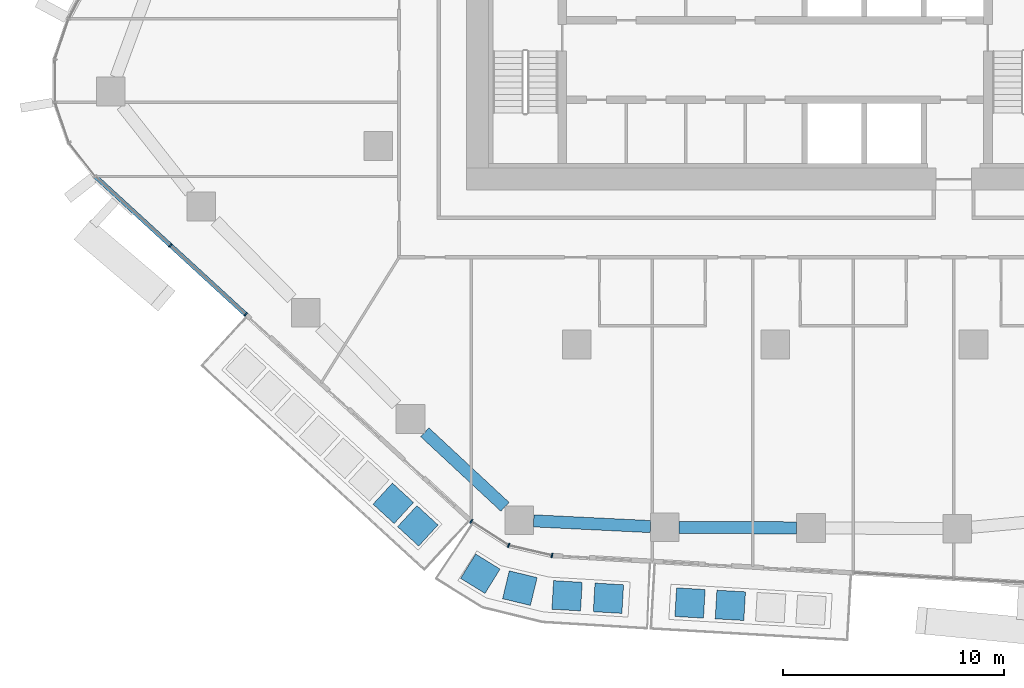
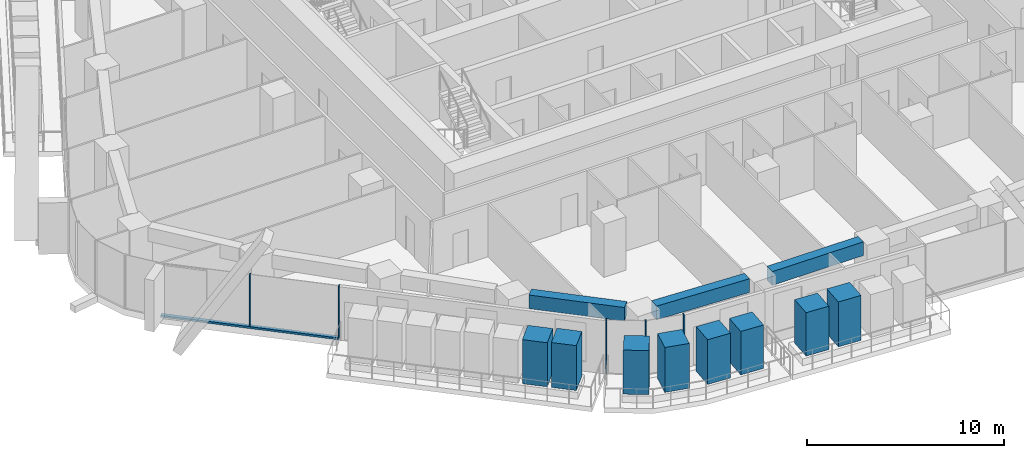
# One storey, part 2 of 23: 14 members, 3 beams, 2 elements without a shape of their own.
"""IFC4 building model written with IfcOpenShell, lengths in metres."""

from ifc_helpers import new_model, si_unit, direction, frame, origin, origin_2d, place, context, subcontext, project, spatial, rectangle, extrude, material, layer, layer_set, material_profile, profile_set, type_object, element, aggregate, save


model = new_model("IFC4")

# Units and contexts
model_context = context("Model", 3, precision=1e-05, world=origin(), true_north=direction((0.0, 1.0)))
body_context = subcontext(model_context, "Body", "Model", "MODEL_VIEW")
ifc_project = project(units=[si_unit("LENGTHUNIT", "METRE"), si_unit("AREAUNIT", "SQUARE_METRE"), si_unit("VOLUMEUNIT", "CUBIC_METRE"), si_unit("PLANEANGLEUNIT", "RADIAN"), si_unit("MASSUNIT", "GRAM", prefix="KILO")], contexts=[model_context])

# Site, building, storey
site_placement = place(None, origin())
site = spatial("IfcSite", under=ifc_project, at=site_placement, CompositionType="ELEMENT")
building_placement = place(site_placement, origin())
building = spatial("IfcBuilding", under=site, at=building_placement, Name="Dongbaek Canopy Tower", CompositionType="ELEMENT")
storey_placement = place(building_placement, frame((0.0, 0.0, 121.10009765625)))
storey = spatial("IfcBuildingStorey", under=building, at=storey_placement, Name="L26", CompositionType="ELEMENT", Elevation=121.10009765625)

# Curtain wall, members
ifc_material_1 = material(Name="Aluminium 6063-T6 pale anodised", Category="aluminium")
ifc_layer = layer(ifc_material_1, 0.199951171875)
ifc_layer_set = layer_set([ifc_layer], Name="CW-1 unitised tower curtain wall")
curtain_wall_type = type_object("IfcCurtainWallType", Name="CW-1 unitised tower curtain wall", PredefinedType="NOTDEFINED", material=ifc_layer_set)
curtain_wall_1_placement = place(storey_placement, origin())
curtain_wall_1 = element("IfcCurtainWall", 1, at=curtain_wall_1_placement, inside=storey, type_object=curtain_wall_type, Name="CW-1 curtain wall F3.1", PredefinedType="NOTDEFINED")
ifc_material_2 = material(Name="Aluminium 6063-T6 pale anodised", Category="aluminium")
ifc_material_profile_1 = material_profile(ifc_material_2, rectangle(XDim=0.199951171875, YDim=0.06005859375, at=origin_2d()), Name="CW-1 mullion 60 x 200")
ifc_profile_set_1 = profile_set([ifc_material_profile_1], Name="Aluminium 6063-T6 pale anodised")
member_type_1 = type_object("IfcMemberType", Name="CW-1 mullion 60 x 200", PredefinedType="MULLION", material=ifc_profile_set_1)
member_1_placement = place(storey_placement, frame((-27.417236328125, -13.5068359375, 0.119873046875), z_axis=(0.0, 0.0, 1.0), x_axis=(-0.675980347655, -0.73691964934, 0.0)))
member_1 = element("IfcMember", 2, at=member_1_placement, type_object=member_type_1, Name="CW-1 mullion F3.1.2", PredefinedType="MULLION", context=body_context, shape_type="SweptSolid", body=[
    extrude(rectangle(XDim=0.199951171875, YDim=0.06005859375, at=origin_2d()), origin(), (0.0, 0.0, 1.0), 3.179931640625),
])
member_2_placement = place(storey_placement, frame((-24.005615234375, -16.63623046875, 0.119873046875), z_axis=(0.0, 0.0, 1.0), x_axis=(-0.675980347655, -0.73691964934, 0.0)))
member_2 = element("IfcMember", 3, at=member_2_placement, type_object=member_type_1, Name="CW-1 mullion F3.1.3", PredefinedType="MULLION", context=body_context, shape_type="SweptSolid", body=[
    extrude(rectangle(XDim=0.199951171875, YDim=0.06005859375, at=origin_2d()), origin(), (0.0, 0.0, 1.0), 3.179931640625),
])

curtain_wall_2_placement = place(storey_placement, origin())
curtain_wall_2 = element("IfcCurtainWall", 4, at=curtain_wall_2_placement, inside=storey, type_object=curtain_wall_type, Name="CW-1 curtain wall K4.1", PredefinedType="NOTDEFINED")
member_3_placement = place(storey_placement, frame((-13.777099609375, -26.018798828125, 0.0), z_axis=(0.0, 0.0, 1.0), x_axis=(-0.540614176933, -0.84127065306, 0.0)))
member_3 = element("IfcMember", 5, at=member_3_placement, type_object=member_type_1, Name="CW-1 mullion K4.1.1", PredefinedType="MULLION", context=body_context, shape_type="SweptSolid", body=[
    extrude(rectangle(XDim=0.199951171875, YDim=0.06005859375, at=origin_2d()), origin(), (0.0, 0.0, 1.0), 3.2998046875),
])
member_4_placement = place(storey_placement, frame((-12.079833984375, -27.109619140625, 0.0), z_axis=(0.0, 0.0, 1.0), x_axis=(-0.389454972815, -0.921045506014, 0.0)))
member_4 = element("IfcMember", 6, at=member_4_placement, type_object=member_type_1, Name="CW-1 mullion K4.1.2", PredefinedType="MULLION", context=body_context, shape_type="SweptSolid", body=[
    extrude(rectangle(XDim=0.199951171875, YDim=0.06005859375, at=origin_2d()), origin(), (0.0, 0.0, 1.0), 3.2998046875),
])
member_5_placement = place(storey_placement, frame((-10.11474609375, -27.567626953125, 0.0), z_axis=(0.0, 0.0, 1.0), x_axis=(-0.226918569092, -0.973913734887, 0.0)))
member_5 = element("IfcMember", 7, at=member_5_placement, type_object=member_type_1, Name="CW-1 mullion K4.1.3", PredefinedType="MULLION", context=body_context, shape_type="SweptSolid", body=[
    extrude(rectangle(XDim=0.199951171875, YDim=0.06005859375, at=origin_2d()), origin(), (0.0, 0.0, 1.0), 3.2998046875),
])
aggregate(curtain_wall_2, [member_3, member_4, member_5])

# Member
ifc_material_3 = material(Name="Aluminium 6063-T6 pale anodised", Category="aluminium")
ifc_material_profile_2 = material_profile(ifc_material_3, rectangle(XDim=0.199951171875, YDim=0.1201171875, at=origin_2d()), Name="CW-1 transom 120 x 200")
ifc_profile_set_2 = profile_set([ifc_material_profile_2], Name="Aluminium 6063-T6 pale anodised")
member_type_2 = type_object("IfcMemberType", Name="CW-1 transom 120 x 200", PredefinedType="USERDEFINED", material=ifc_profile_set_2)
member_6_placement = place(storey_placement, frame((-30.822509765625, -10.383056640625, 0.059814453125), z_axis=(0.73691965449, -0.675980342041, 0.0), x_axis=(0.675980342041, 0.73691965449, 0.0)))
member_6 = element("IfcMember", 8, at=member_6_placement, type_object=member_type_2, Name="CW-1 transom F3.1.1", ObjectType="TRANSOM", PredefinedType="USERDEFINED", context=body_context, shape_type="SweptSolid", body=[
    extrude(rectangle(XDim=0.199951171875, YDim=0.1201171875, at=origin_2d()), origin(), (0.0, 0.0, 1.0), 9.25048828125),
])

aggregate(curtain_wall_1, [member_1, member_2, member_6])

# Beams
ifc_material_4 = material(Name="Concrete C80", Category="concrete")
ifc_material_profile_3 = material_profile(ifc_material_4, rectangle(XDim=0.550048828125, YDim=0.85009765625, at=origin_2d()), Name="RC EDGE BEAM 550x850 C80")
ifc_profile_set_3 = profile_set([ifc_material_profile_3], Name="Concrete C80")
beam_type = type_object("IfcBeamType", Name="RC EDGE BEAM 550x850 C80", PredefinedType="BEAM", material=ifc_profile_set_3)
beam_1_placement = place(storey_placement, frame((0.97900390625, -26.316162109375, 2.875), z_axis=(-0.999990328846, 0.004397978357, 0.0), x_axis=(-0.004397978357, -0.999990328846, 0.0)))
element("IfcBeam", 9, at=beam_1_placement, inside=storey, type_object=beam_type, Name="EDGEBEAM:L26:02", PredefinedType="BEAM", context=body_context, shape_type="SweptSolid", body=[
    extrude(rectangle(XDim=0.550048828125, YDim=0.85009765625, at=origin_2d()), origin(), (0.0, 0.0, 1.0), 5.3291015625),
])
beam_2_placement = place(storey_placement, frame((-5.64990234375, -26.258056640625, 2.875), z_axis=(-0.998796128786, 0.049053981722, 0.0), x_axis=(-0.049053981722, -0.998796128786, 0.0)))
element("IfcBeam", 10, at=beam_2_placement, inside=storey, type_object=beam_type, Name="EDGEBEAM:L26:03", PredefinedType="BEAM", context=body_context, shape_type="SweptSolid", body=[
    extrude(rectangle(XDim=0.550048828125, YDim=0.85009765625, at=origin_2d()), origin(), (0.0, 0.0, 1.0), 5.305419921875),
])
beam_3_placement = place(storey_placement, frame((-12.2490234375, -25.361328125, 2.875), z_axis=(-0.732272884801, 0.681011323097, 0.0), x_axis=(-0.681011323097, -0.732272884801, 0.0)))
element("IfcBeam", 11, at=beam_3_placement, inside=storey, type_object=beam_type, Name="EDGEBEAM:L26:04", PredefinedType="BEAM", context=body_context, shape_type="SweptSolid", body=[
    extrude(rectangle(XDim=0.550048828125, YDim=0.85009765625, at=origin_2d()), origin(), (0.0, 0.0, 1.0), 4.962646484375),
])

# Members
ifc_material_5 = material(Name="Concrete C40/50 planter mass with planting", Category="concrete")
ifc_material_profile_4 = material_profile(ifc_material_5, rectangle(XDim=1.300048828125, YDim=1.300048828125, at=origin_2d()), Name="Terrace PLANTER shrub mass 1300 x 1300")
ifc_profile_set_4 = profile_set([ifc_material_profile_4], Name="Concrete C40/50 planter mass with planting")
member_type_3 = type_object("IfcMemberType", Name="Terrace PLANTER shrub mass 1300 x 1300", PredefinedType="USERDEFINED", material=ifc_profile_set_4)
member_7_placement = place(storey_placement, frame((-17.314208984375, -25.203125, 0.419921875), z_axis=(0.0, 0.0, 1.0), x_axis=(-0.675980347655, -0.73691964934, 0.0)))
element("IfcMember", 12, at=member_7_placement, inside=storey, type_object=member_type_3, Name="Planter shrubs L26 3.7", ObjectType="PLANTER", PredefinedType="USERDEFINED", context=body_context, shape_type="SweptSolid", body=[
    extrude(rectangle(XDim=1.300048828125, YDim=1.300048828125, at=origin_2d()), origin(), (0.0, 0.0, 1.0), 2.72998046875),
])
member_8_placement = place(storey_placement, frame((-16.20068359375, -26.224609375, 0.419921875), z_axis=(0.0, 0.0, 1.0), x_axis=(-0.675980347655, -0.73691964934, 0.0)))
element("IfcMember", 13, at=member_8_placement, inside=storey, type_object=member_type_3, Name="Planter shrubs L26 3.8", ObjectType="PLANTER", PredefinedType="USERDEFINED", context=body_context, shape_type="SweptSolid", body=[
    extrude(rectangle(XDim=1.300048828125, YDim=1.300048828125, at=origin_2d()), origin(), (0.0, 0.0, 1.0), 2.780029296875),
])
member_9_placement = place(storey_placement, frame((-3.857666015625, -29.722412109375, 0.419921875), z_axis=(0.0, 0.0, 1.0), x_axis=(-0.057753163239, -0.998330893109, 0.0)))
element("IfcMember", 14, at=member_9_placement, inside=storey, type_object=member_type_3, Name="Planter shrubs L26 4.1", ObjectType="PLANTER", PredefinedType="USERDEFINED", context=body_context, shape_type="SweptSolid", body=[
    extrude(rectangle(XDim=1.300048828125, YDim=1.300048828125, at=origin_2d()), origin(), (0.0, 0.0, 1.0), 2.68994140625),
])
member_10_placement = place(storey_placement, frame((-2.02880859375, -29.828369140625, 0.419921875), z_axis=(0.0, 0.0, 1.0), x_axis=(-0.057753163239, -0.998330893109, 0.0)))
element("IfcMember", 15, at=member_10_placement, inside=storey, type_object=member_type_3, Name="Planter shrubs L26 4.2", ObjectType="PLANTER", PredefinedType="USERDEFINED", context=body_context, shape_type="SweptSolid", body=[
    extrude(rectangle(XDim=1.300048828125, YDim=1.300048828125, at=origin_2d()), origin(), (0.0, 0.0, 1.0), 2.780029296875),
])
member_11_placement = place(storey_placement, frame((-13.365234375, -28.396728515625, 0.419921875), z_axis=(0.0, 0.0, 1.0), x_axis=(-0.525496148357, -0.850795979105, 0.0)))
element("IfcMember", 16, at=member_11_placement, inside=storey, type_object=member_type_3, Name="Planter shrubs L26 7.1", ObjectType="PLANTER", PredefinedType="USERDEFINED", context=body_context, shape_type="SweptSolid", body=[
    extrude(rectangle(XDim=1.300048828125, YDim=1.300048828125, at=origin_2d()), origin(), (0.0, 0.0, 1.0), 2.72998046875),
])
member_12_placement = place(storey_placement, frame((-11.573974609375, -29.049560546875, 0.419921875), z_axis=(0.0, 0.0, 1.0), x_axis=(-0.234190600206, -0.972190702885, 0.0)))
element("IfcMember", 17, at=member_12_placement, inside=storey, type_object=member_type_3, Name="Planter shrubs L26 7.2", ObjectType="PLANTER", PredefinedType="USERDEFINED", context=body_context, shape_type="SweptSolid", body=[
    extrude(rectangle(XDim=1.300048828125, YDim=1.300048828125, at=origin_2d()), origin(), (0.0, 0.0, 1.0), 2.780029296875),
])
member_13_placement = place(storey_placement, frame((-9.4326171875, -29.395263671875, 0.419921875), z_axis=(0.0, 0.0, 1.0), x_axis=(-0.059395433362, -0.998234532811, 0.0)))
element("IfcMember", 18, at=member_13_placement, inside=storey, type_object=member_type_3, Name="Planter shrubs L26 7.3", ObjectType="PLANTER", PredefinedType="USERDEFINED", context=body_context, shape_type="SweptSolid", body=[
    extrude(rectangle(XDim=1.300048828125, YDim=1.300048828125, at=origin_2d()), origin(), (0.0, 0.0, 1.0), 2.77001953125),
])
member_14_placement = place(storey_placement, frame((-7.556884765625, -29.5068359375, 0.419921875), z_axis=(0.0, 0.0, 1.0), x_axis=(-0.059395433362, -0.998234532811, 0.0)))
element("IfcMember", 19, at=member_14_placement, inside=storey, type_object=member_type_3, Name="Planter shrubs L26 7.4", ObjectType="PLANTER", PredefinedType="USERDEFINED", context=body_context, shape_type="SweptSolid", body=[
    extrude(rectangle(XDim=1.300048828125, YDim=1.300048828125, at=origin_2d()), origin(), (0.0, 0.0, 1.0), 2.68994140625),
])

save(model, "model.ifc")
